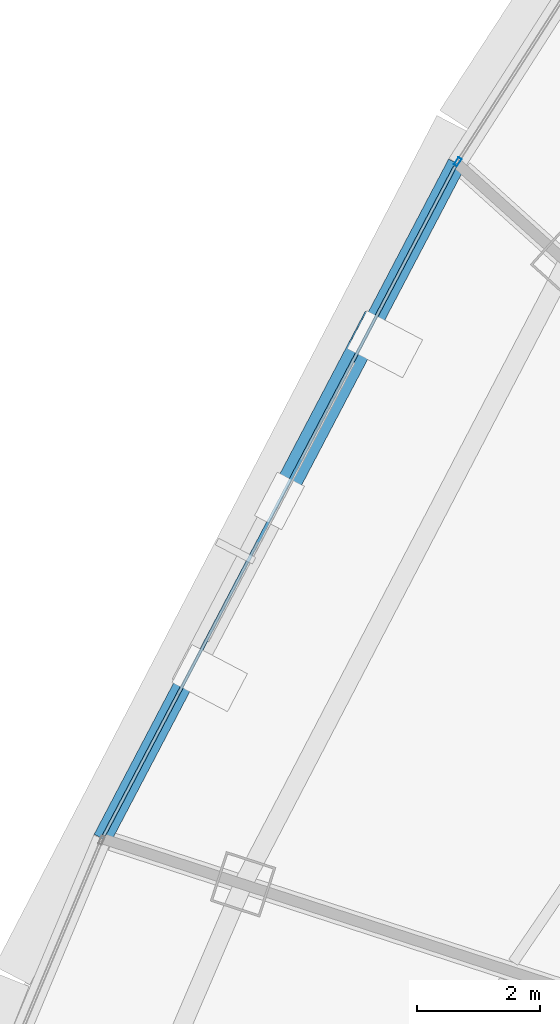
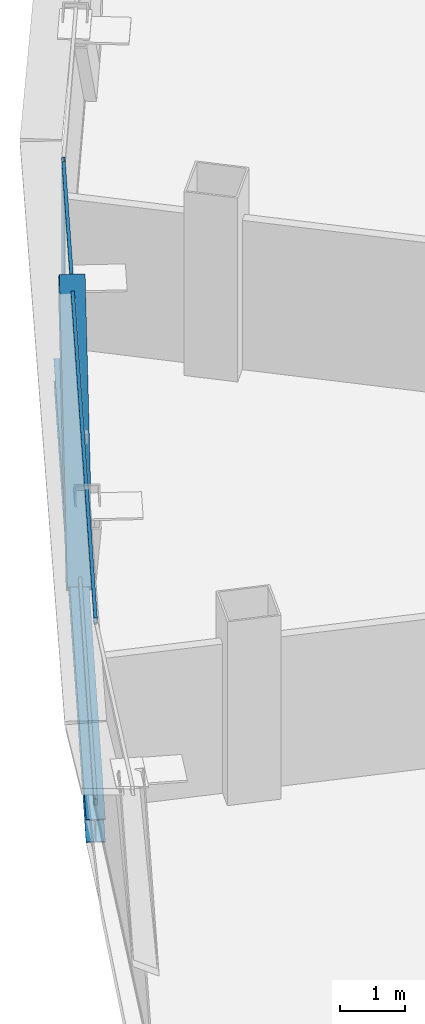
# One storey, part 15 of 36: 4 members, 1 beam, 2 elements without a shape of their own.
"""IFC4 building model written with IfcOpenShell, lengths in metres."""

from ifc_helpers import new_model, si_unit, direction, frame, origin, origin_2d, place, context, subcontext, project, spatial, hollow_rectangle, i_section, extrude, source, transform, mapped, material, layer, layer_set, material_profile, profile_set, type_object, element, aggregate, save


model = new_model("IFC4")

# Units and contexts
model_context = context("Model", 3, precision=1e-05, world=origin(), true_north=direction((0.0, 1.0)))
body_context = subcontext(model_context, "Body", "Model", "MODEL_VIEW")
ifc_project = project(units=[si_unit("LENGTHUNIT", "METRE"), si_unit("AREAUNIT", "SQUARE_METRE"), si_unit("VOLUMEUNIT", "CUBIC_METRE"), si_unit("PLANEANGLEUNIT", "RADIAN"), si_unit("MASSUNIT", "GRAM", prefix="KILO"), si_unit("THERMODYNAMICTEMPERATUREUNIT", "KELVIN"), si_unit("POWERUNIT", "WATT")], contexts=[model_context])

# Site, building, storey
site_placement = place(None, origin())
site = spatial("IfcSite", under=ifc_project, at=site_placement, CompositionType="ELEMENT")
building_placement = place(site_placement, origin())
building = spatial("IfcBuilding", under=site, at=building_placement, Name="Yunzhuo Pagoda Commons", CompositionType="ELEMENT")
storey_placement = place(building_placement, frame((0.0, 0.0, 248.260009765625)))
storey = spatial("IfcBuildingStorey", under=building, at=storey_placement, Name="L62", CompositionType="ELEMENT", Elevation=248.260009765625)

# Beam
ifc_material_1 = material(Name="Structural steel Q355B", Category="steel")
ifc_material_profile_1 = material_profile(ifc_material_1, i_section(OverallWidth=0.300048828125, OverallDepth=0.43994140625, WebThickness=0.010986328125, FlangeThickness=0.01806640625, at=origin_2d()), Name="Structural steel Q355B")
ifc_profile_set_1 = profile_set([ifc_material_profile_1], Name="Structural steel Q355B")
beam_type = type_object("IfcBeamType", Name="B-SP2 Beam HM 440x300x11x18", PredefinedType="BEAM", material=ifc_profile_set_1)
shared_shape_1 = source(origin(), body_context, "Body", "SweptSolid", [
    extrude(i_section(OverallWidth=0.300048828125, OverallDepth=0.43994140625, WebThickness=0.010986328125, FlangeThickness=0.01806640625, at=origin_2d()), origin(), (0.0, 0.0, 1.0), 12.444091796875),
])
beam_placement = place(storey_placement, frame((25.58837890625, 53.879638671875, -0.47998046875), z_axis=(-0.464752383857, -0.885440693496, 0.0), x_axis=(0.885440693496, -0.464752383857, 0.0)))
element("IfcBeam", 1, at=beam_placement, inside=storey, type_object=beam_type, Name="L62 facade edge spandrel beam F3.2", PredefinedType="BEAM", context=body_context, shape_type="MappedRepresentation", body=[
    mapped(shared_shape_1, transform((0.0, 0.0, 0.0), scale=1.0)),
])

# Member
ifc_material_profile_2 = material_profile(ifc_material_1, hollow_rectangle(XDim=0.39990234375, YDim=0.719970703125, WallThickness=0.02392578125, at=origin_2d()), Name="Structural steel Q355B")
ifc_profile_set_2 = profile_set([ifc_material_profile_2], Name="Structural steel Q355B")
member_type_1 = type_object("IfcMemberType", Name="M-DL2 Brace BOX 720x400x24", PredefinedType="BRACE", material=ifc_profile_set_2)
shared_shape_2 = source(origin(), body_context, "Body", "SweptSolid", [
    extrude(hollow_rectangle(XDim=0.39990234375, YDim=0.719970703125, WallThickness=0.02392578125, at=origin_2d()), origin(), (0.0, 0.0, 1.0), 4.857177734375),
])
member_1_placement = place(storey_placement, frame((22.696533203125, 48.370361328125, -0.260009765625), z_axis=(0.297657845375, 0.567118113705, 0.767969304201), x_axis=(-0.885448766828, 0.464737002318, 0.0)))
element("IfcMember", 2, at=member_1_placement, inside=storey, type_object=member_type_1, Name="L62 facade diamond brace F3.2L", PredefinedType="BRACE", context=body_context, shape_type="MappedRepresentation", body=[
    mapped(shared_shape_2, transform((0.0, 0.0, 0.0), scale=1.0)),
])

# Curtain wall, member
ifc_material_2 = material(Name="Anodized aluminium 6063-T6", Category="aluminium")
ifc_layer = layer(ifc_material_2, 0.139892578125)
ifc_layer_set = layer_set([ifc_layer], Name="Anodized aluminium 6063-T6")
curtain_wall_type = type_object("IfcCurtainWallType", Name="CW-HI High-Zone Ribbon Curtain Wall", PredefinedType="NOTDEFINED", material=ifc_layer_set)
curtain_wall_1_placement = place(storey_placement, origin())
curtain_wall_1 = element("IfcCurtainWall", 3, at=curtain_wall_1_placement, inside=storey, type_object=curtain_wall_type, Name="L62 curtain wall CW-L62-F3B2", PredefinedType="NOTDEFINED")
ifc_material_profile_3 = material_profile(ifc_material_2, hollow_rectangle(XDim=0.06005859375, YDim=0.139892578125, WallThickness=0.00341796875, at=origin_2d()), Name="Anodized aluminium 6063-T6")
ifc_profile_set_3 = profile_set([ifc_material_profile_3], Name="Anodized aluminium 6063-T6")
member_type_2 = type_object("IfcMemberType", Name="CW-HI-M Mullion RHS 140x60x3.5", PredefinedType="MULLION", material=ifc_profile_set_3)
shared_shape_3 = source(origin(), body_context, "Body", "SweptSolid", [
    extrude(hollow_rectangle(XDim=0.06005859375, YDim=0.139892578125, WallThickness=0.00341796875, at=origin_2d()), origin(), (0.0, 0.0, 1.0), 3.47021484375),
])
member_2_placement = place(storey_placement, frame((25.6044921875, 53.90478515625, 0.0), z_axis=(0.0, 0.0, 1.0), x_axis=(0.841269037614, -0.540616690782, 0.0)))
member_2 = element("IfcMember", 4, at=member_2_placement, type_object=member_type_2, Name="CW mullion 2", PredefinedType="MULLION", context=body_context, shape_type="MappedRepresentation", body=[
    mapped(shared_shape_3, transform((0.0, 0.0, 0.0), scale=1.0)),
])
aggregate(curtain_wall_1, [member_2])

# Curtain wall, members
curtain_wall_2_placement = place(storey_placement, origin())
curtain_wall_2 = element("IfcCurtainWall", 5, at=curtain_wall_2_placement, inside=storey, type_object=curtain_wall_type, Name="L62 curtain wall CW-L62-F3B3", PredefinedType="NOTDEFINED")
ifc_material_profile_4 = material_profile(ifc_material_2, hollow_rectangle(XDim=0.054931640625, YDim=0.1201171875, WallThickness=0.00341796875, at=origin_2d()), Name="Anodized aluminium 6063-T6")
ifc_profile_set_4 = profile_set([ifc_material_profile_4], Name="Anodized aluminium 6063-T6")
member_type_3 = type_object("IfcMemberType", Name="CW-HI-T Transom RHS 120x55x3.5", PredefinedType="USERDEFINED", material=ifc_profile_set_4)
shared_shape_4 = source(origin(), body_context, "Body", "SweptSolid", [
    extrude(hollow_rectangle(XDim=0.054931640625, YDim=0.1201171875, WallThickness=0.00341796875, at=origin_2d()), origin(), (0.0, 0.0, 1.0), 12.323974609375),
])
member_3_placement = place(storey_placement, frame((25.560302734375, 53.826416015625, 0.027587890625), z_axis=(-0.464750035495, -0.885441926107, 0.0), x_axis=(0.885441926107, -0.464750035495, 0.0)))
member_3 = element("IfcMember", 6, at=member_3_placement, type_object=member_type_3, Name="CW transom 1.1", ObjectType="TRANSOM", PredefinedType="USERDEFINED", context=body_context, shape_type="MappedRepresentation", body=[
    mapped(shared_shape_4, transform((0.0, 0.0, 0.0), scale=1.0)),
])
member_4_placement = place(storey_placement, frame((25.560302734375, 53.826416015625, 3.4423828125), z_axis=(-0.464750035495, -0.885441926107, 0.0), x_axis=(0.885441926107, -0.464750035495, 0.0)))
member_4 = element("IfcMember", 7, at=member_4_placement, type_object=member_type_3, Name="CW transom 1.2", ObjectType="TRANSOM", PredefinedType="USERDEFINED", context=body_context, shape_type="MappedRepresentation", body=[
    mapped(shared_shape_4, transform((0.0, 0.0, 0.0), scale=1.0)),
])
aggregate(curtain_wall_2, [member_3, member_4])

save(model, "model.ifc")
